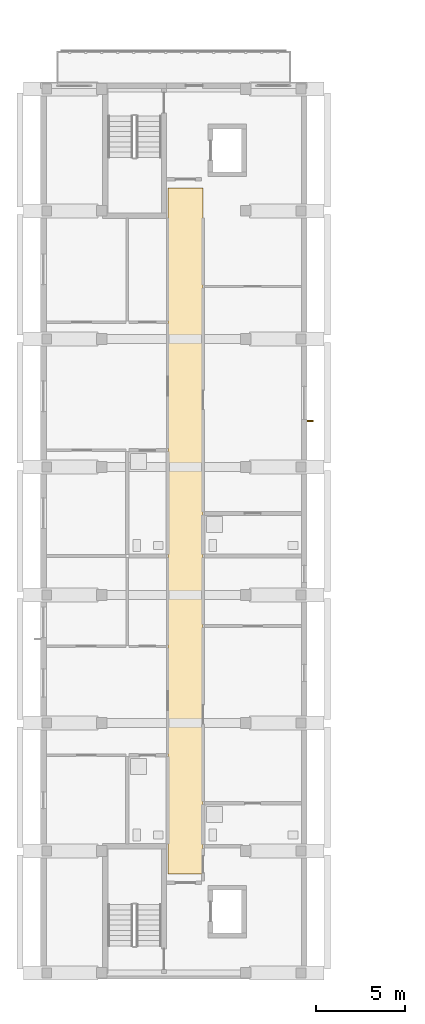
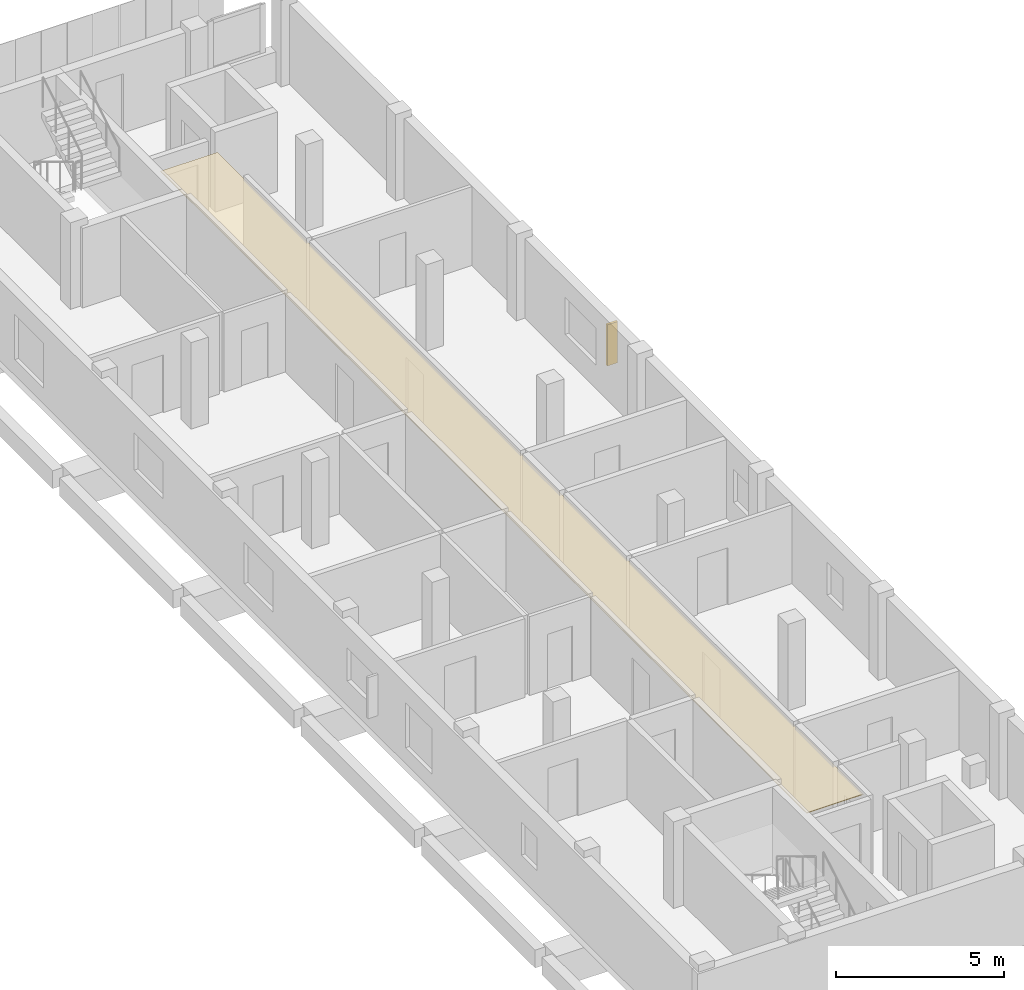
# One storey, part 33 of 38: 1 covering, 1 shading device.
"""IFC4 building model written with IfcOpenShell, lengths in metres."""

from ifc_helpers import new_model, si_unit, derived_unit, direction, frame, origin, origin_2d, place, context, subcontext, project, spatial, polyline, rectangle, outline, extrude, material, layer, layer_set, type_object, element, save


model = new_model("IFC4")

# Units and contexts
model_context = context("Model", 3, precision=1e-05, world=origin(), true_north=direction((0.0, 1.0)))
body_context = subcontext(model_context, "Body", "Model", "MODEL_VIEW")
ifc_project = project(units=[si_unit("LENGTHUNIT", "METRE"), si_unit("AREAUNIT", "SQUARE_METRE"), si_unit("VOLUMEUNIT", "CUBIC_METRE"), si_unit("PLANEANGLEUNIT", "RADIAN"), si_unit("MASSUNIT", "GRAM", prefix="KILO"), derived_unit("THERMALTRANSMITTANCEUNIT", [(si_unit("MASSUNIT", "GRAM", prefix="KILO"), 1), (si_unit("TIMEUNIT", "SECOND"), -3), (si_unit("THERMODYNAMICTEMPERATUREUNIT", "KELVIN"), -1)])], contexts=[model_context])

# Site, building, storey
site_placement = place(None, origin())
site = spatial("IfcSite", under=ifc_project, at=site_placement, CompositionType="ELEMENT")
building_placement = place(site_placement, origin())
building = spatial("IfcBuilding", under=site, at=building_placement, Name="Ochrekiln Boulevard Commons", CompositionType="ELEMENT")
storey_placement = place(building_placement, frame((0.0, 0.0, 24.675048828125)))
storey = spatial("IfcBuildingStorey", under=building, at=storey_placement, Name="L07", CompositionType="ELEMENT", Elevation=24.675048828125)

# Covering
ifc_material_1 = material(Name="Mineral-fibre acoustic ceiling tile")
ifc_layer = layer(ifc_material_1, 0.02490234375)
ifc_layer_set = layer_set([ifc_layer], Name="Mineral-fibre acoustic ceiling tile")
covering_type = type_object("IfcCoveringType", Name="COV-CEIL-AC", PredefinedType="CEILING", material=ifc_layer_set)
covering_placement = place(storey_placement, frame((0.0, 0.0, 2.64990234375)))
element("IfcCovering", 1, at=covering_placement, inside=storey, type_object=covering_type, Name="L07 Acoustic Corridor Ceiling 57", PredefinedType="CEILING", context=body_context, shape_type="SweptSolid", body=[
    extrude(outline(polyline([(159.8701171875, 5.919921875), (161.830078125, 5.919921875), (161.830078125, 44.47998046875), (159.8701171875, 44.47998046875), (159.8701171875, 5.919921875)])), origin(), (0.0, 0.0, 1.0), 0.025146484375),
])

# Shading device
ifc_material_2 = material(Name="Glazed architectural terracotta ASTM C1405", Category="masonry")
shading_device_type = type_object("IfcShadingDeviceType", Name="SHD-FIN-TERRA", PredefinedType="JALOUSIE", material=ifc_material_2)
shading_device_placement = place(storey_placement, frame((167.8701171875, 31.39501953125, 0.7900390625), z_axis=(0.0, 0.0, 1.0), x_axis=(1.0, 0.0, 0.0)))
element("IfcShadingDevice", 2, at=shading_device_placement, inside=storey, type_object=shading_device_type, Name="Terracotta Solar Shading Fin SF-01 (67)", PredefinedType="JALOUSIE", context=body_context, shape_type="SweptSolid", body=[
    extrude(rectangle(XDim=0.35009765625, YDim=0.080078125, at=origin_2d()), origin(), (0.0, 0.0, 1.0), 1.5),
])

save(model, "model.ifc")
